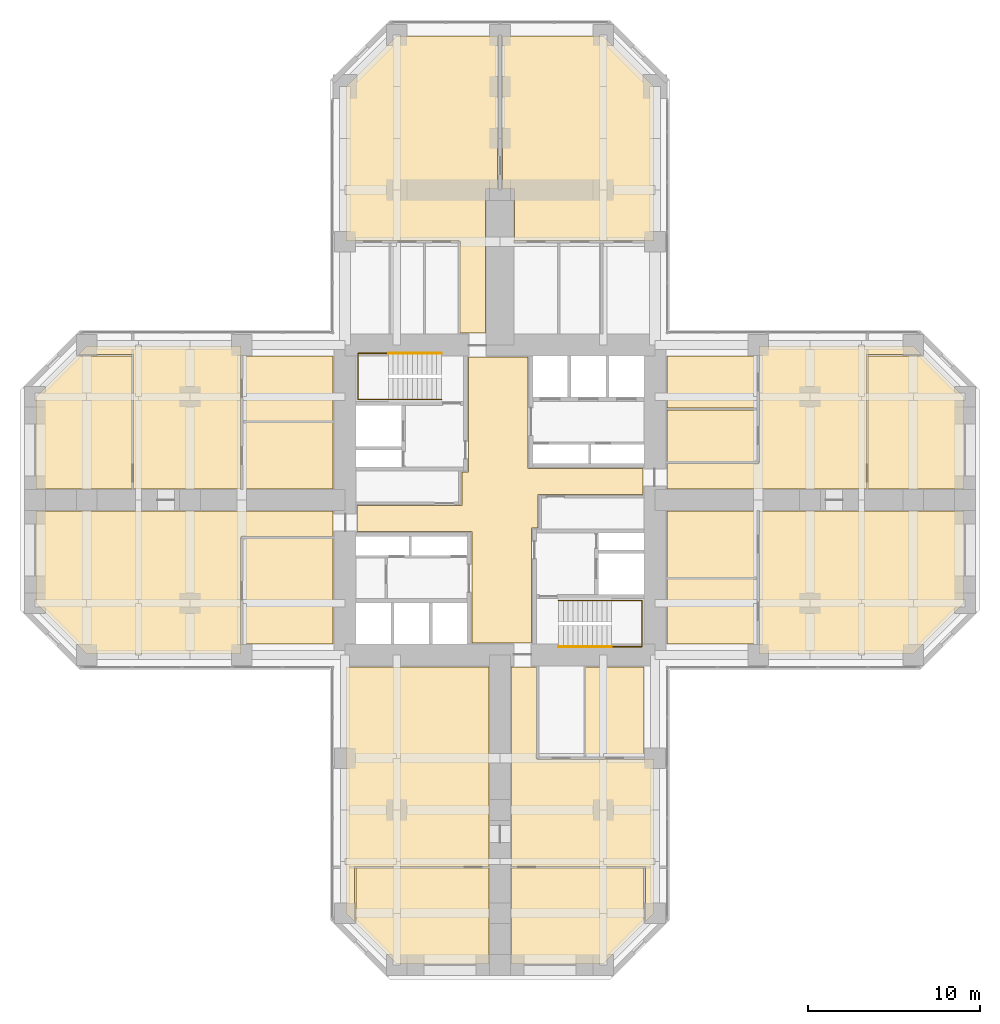
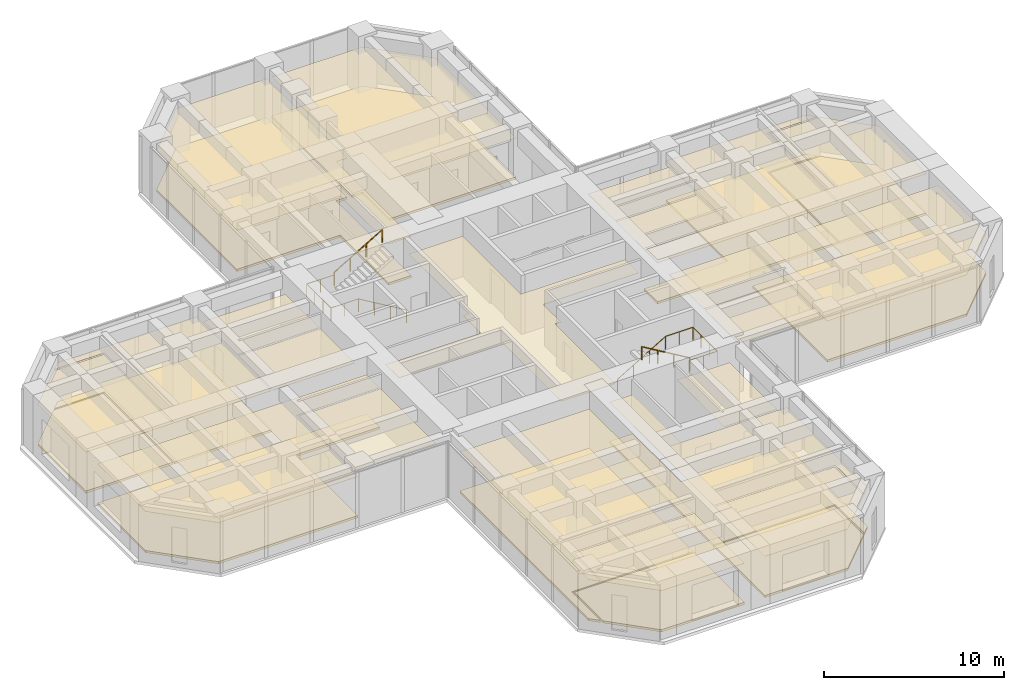
# One storey, part 12 of 12: 33 coverings, 4 railings.
"""IFC4 building model written with IfcOpenShell, lengths in metres."""

from ifc_helpers import new_model, si_unit, direction, frame, origin, origin_2d, place, context, subcontext, project, spatial, polyline, circle, outline, extrude, material, layer, layer_set, constituent, constituent_set, type_object, element, save


model = new_model("IFC4")

# Units and contexts
model_context = context("Model", 3, precision=1e-05, world=origin(), true_north=direction((0.0, 1.0)))
body_context = subcontext(model_context, "Body", "Model", "MODEL_VIEW")
ifc_project = project(units=[si_unit("LENGTHUNIT", "METRE"), si_unit("AREAUNIT", "SQUARE_METRE"), si_unit("VOLUMEUNIT", "CUBIC_METRE"), si_unit("PLANEANGLEUNIT", "RADIAN"), si_unit("MASSUNIT", "GRAM", prefix="KILO")], contexts=[model_context])

# Site, building, storey
site_placement = place(None, origin())
site = spatial("IfcSite", under=ifc_project, at=site_placement, CompositionType="ELEMENT")
building_placement = place(site_placement, origin())
building = spatial("IfcBuilding", under=site, at=building_placement, Name="Torre Cruceta", CompositionType="ELEMENT")
storey_placement = place(building_placement, frame((0.0, 0.0, 79.5)))
storey = spatial("IfcBuildingStorey", under=building, at=storey_placement, Name="L19", CompositionType="ELEMENT", Elevation=79.5)

# Railings
ifc_material_1 = material(Name="Stainless steel 1.4401", Category="steel")
railing_type = type_object("IfcRailingType", Name="HANDRAIL 900", PredefinedType="HANDRAIL", material=ifc_material_1)
railing_1_placement = place(storey_placement, frame((-3.39990234375, 5.8349609375, 0.166748046875)))
element("IfcRailing", 1, at=railing_1_placement, inside=storey, type_object=railing_type, Name="Handrail HR1 ST1 L19", PredefinedType="HANDRAIL", context=body_context, shape_type="SweptSolid", body=[
    extrude(circle(Radius=0.02392578125, at=origin_2d()), frame((0.0, 0.0, 0.8759765625), z_axis=(-0.859308565015, 0.0, 0.511457515432), x_axis=(0.0, -1.0, 0.0)), (0.0, 0.0, 1.0), 3.58447265625),
    extrude(circle(Radius=0.02392578125, at=origin_2d()), frame((-3.080078125, 0.0, 2.708984375), z_axis=(-1.0, 0.0, 0.0), x_axis=(0.0, -1.0, 0.0)), (0.0, 0.0, 1.0), 1.760009765625),
    extrude(circle(Radius=0.02392578125, at=origin_2d()), frame((-4.840087890625, 0.0, 2.708984375), z_axis=(0.0, 1.0, 0.0), x_axis=(-1.0, 0.0, 0.0)), (0.0, 0.0, 1.0), 2.679931640625),
    extrude(circle(Radius=0.02392578125, at=origin_2d()), frame((-4.840087890625, 2.679931640625, 2.708984375), z_axis=(1.0, 0.0, 0.0), x_axis=(0.0, 1.0, 0.0)), (0.0, 0.0, 1.0), 1.760009765625),
    extrude(circle(Radius=0.02099609375, at=origin_2d()), origin(), (0.0, 0.0, 1.0), 0.851806640625),
    extrude(circle(Radius=0.02099609375, at=origin_2d()), frame((-1.026611328125, 0.0, 0.611083984375)), (0.0, 0.0, 1.0), 0.851806640625),
    extrude(circle(Radius=0.02099609375, at=origin_2d()), frame((-2.053466796875, 0.0, 1.22216796875)), (0.0, 0.0, 1.0), 0.851806640625),
    extrude(circle(Radius=0.02099609375, at=origin_2d()), frame((-3.080078125, 0.0, 1.833251953125)), (0.0, 0.0, 1.0), 0.851806640625),
    extrude(circle(Radius=0.02099609375, at=origin_2d()), frame((-3.9599609375, 0.0, 1.833251953125)), (0.0, 0.0, 1.0), 0.851806640625),
    extrude(circle(Radius=0.02099609375, at=origin_2d()), frame((-4.840087890625, 0.0, 1.833251953125)), (0.0, 0.0, 1.0), 0.851806640625),
    extrude(circle(Radius=0.02099609375, at=origin_2d()), frame((-4.840087890625, 0.893310546875, 1.833251953125)), (0.0, 0.0, 1.0), 0.851806640625),
    extrude(circle(Radius=0.02099609375, at=origin_2d()), frame((-4.840087890625, 1.78662109375, 1.833251953125)), (0.0, 0.0, 1.0), 0.851806640625),
    extrude(circle(Radius=0.02099609375, at=origin_2d()), frame((-4.840087890625, 2.679931640625, 1.833251953125)), (0.0, 0.0, 1.0), 0.851806640625),
    extrude(circle(Radius=0.02099609375, at=origin_2d()), frame((-3.9599609375, 2.679931640625, 1.833251953125)), (0.0, 0.0, 1.0), 0.851806640625),
    extrude(circle(Radius=0.02099609375, at=origin_2d()), frame((-3.080078125, 2.679931640625, 1.833251953125)), (0.0, 0.0, 1.0), 0.851806640625),
])
railing_2_placement = place(storey_placement, frame((-6.47998046875, 8.514892578125, 2.166748046875)))
element("IfcRailing", 2, at=railing_2_placement, inside=storey, type_object=railing_type, Name="Handrail HR1 ST1 L19", PredefinedType="HANDRAIL", context=body_context, shape_type="SweptSolid", body=[
    extrude(circle(Radius=0.02392578125, at=origin_2d()), frame((0.0, 0.0, 0.8759765625), z_axis=(0.859308565015, 0.0, 0.511457515432), x_axis=(0.0, 1.0, 0.0)), (0.0, 0.0, 1.0), 3.58447265625),
    extrude(circle(Radius=0.02099609375, at=origin_2d()), origin(), (0.0, 0.0, 1.0), 0.851806640625),
    extrude(circle(Radius=0.02099609375, at=origin_2d()), frame((1.026611328125, 0.0, 0.611083984375)), (0.0, 0.0, 1.0), 0.851806640625),
    extrude(circle(Radius=0.02099609375, at=origin_2d()), frame((2.053466796875, 0.0, 1.22216796875)), (0.0, 0.0, 1.0), 0.851806640625),
    extrude(circle(Radius=0.02099609375, at=origin_2d()), frame((3.080078125, 0.0, 1.833251953125)), (0.0, 0.0, 1.0), 0.851806640625),
])
railing_3_placement = place(storey_placement, frame((3.39990234375, -5.8349609375, 0.166748046875)))
element("IfcRailing", 3, at=railing_3_placement, inside=storey, type_object=railing_type, Name="Handrail HR1 ST2 L19", PredefinedType="HANDRAIL", context=body_context, shape_type="SweptSolid", body=[
    extrude(circle(Radius=0.02392578125, at=origin_2d()), frame((0.0, 0.0, 0.8759765625), z_axis=(0.859308565015, 0.0, 0.511457515432), x_axis=(0.0, 1.0, 0.0)), (0.0, 0.0, 1.0), 3.58447265625),
    extrude(circle(Radius=0.02392578125, at=origin_2d()), frame((3.080078125, 0.0, 2.708984375), z_axis=(1.0, 0.0, 0.0), x_axis=(0.0, 1.0, 0.0)), (0.0, 0.0, 1.0), 1.760009765625),
    extrude(circle(Radius=0.02392578125, at=origin_2d()), frame((4.840087890625, 0.0, 2.708984375), z_axis=(0.0, -1.0, 0.0), x_axis=(1.0, 0.0, 0.0)), (0.0, 0.0, 1.0), 2.679931640625),
    extrude(circle(Radius=0.02392578125, at=origin_2d()), frame((4.840087890625, -2.679931640625, 2.708984375), z_axis=(-1.0, 0.0, 0.0), x_axis=(0.0, -1.0, 0.0)), (0.0, 0.0, 1.0), 1.760009765625),
    extrude(circle(Radius=0.02099609375, at=origin_2d()), origin(), (0.0, 0.0, 1.0), 0.851806640625),
    extrude(circle(Radius=0.02099609375, at=origin_2d()), frame((1.026611328125, 0.0, 0.611083984375)), (0.0, 0.0, 1.0), 0.851806640625),
    extrude(circle(Radius=0.02099609375, at=origin_2d()), frame((2.053466796875, 0.0, 1.22216796875)), (0.0, 0.0, 1.0), 0.851806640625),
    extrude(circle(Radius=0.02099609375, at=origin_2d()), frame((3.080078125, 0.0, 1.833251953125)), (0.0, 0.0, 1.0), 0.851806640625),
    extrude(circle(Radius=0.02099609375, at=origin_2d()), frame((3.9599609375, 0.0, 1.833251953125)), (0.0, 0.0, 1.0), 0.851806640625),
    extrude(circle(Radius=0.02099609375, at=origin_2d()), frame((4.840087890625, 0.0, 1.833251953125)), (0.0, 0.0, 1.0), 0.851806640625),
    extrude(circle(Radius=0.02099609375, at=origin_2d()), frame((4.840087890625, -0.893310546875, 1.833251953125)), (0.0, 0.0, 1.0), 0.851806640625),
    extrude(circle(Radius=0.02099609375, at=origin_2d()), frame((4.840087890625, -1.78662109375, 1.833251953125)), (0.0, 0.0, 1.0), 0.851806640625),
    extrude(circle(Radius=0.02099609375, at=origin_2d()), frame((4.840087890625, -2.679931640625, 1.833251953125)), (0.0, 0.0, 1.0), 0.851806640625),
    extrude(circle(Radius=0.02099609375, at=origin_2d()), frame((3.9599609375, -2.679931640625, 1.833251953125)), (0.0, 0.0, 1.0), 0.851806640625),
    extrude(circle(Radius=0.02099609375, at=origin_2d()), frame((3.080078125, -2.679931640625, 1.833251953125)), (0.0, 0.0, 1.0), 0.851806640625),
])
railing_4_placement = place(storey_placement, frame((6.47998046875, -8.514892578125, 2.166748046875)))
element("IfcRailing", 4, at=railing_4_placement, inside=storey, type_object=railing_type, Name="Handrail HR1 ST2 L19", PredefinedType="HANDRAIL", context=body_context, shape_type="SweptSolid", body=[
    extrude(circle(Radius=0.02392578125, at=origin_2d()), frame((0.0, 0.0, 0.8759765625), z_axis=(-0.859308565015, 0.0, 0.511457515432), x_axis=(0.0, -1.0, 0.0)), (0.0, 0.0, 1.0), 3.58447265625),
    extrude(circle(Radius=0.02099609375, at=origin_2d()), origin(), (0.0, 0.0, 1.0), 0.851806640625),
    extrude(circle(Radius=0.02099609375, at=origin_2d()), frame((-1.026611328125, 0.0, 0.611083984375)), (0.0, 0.0, 1.0), 0.851806640625),
    extrude(circle(Radius=0.02099609375, at=origin_2d()), frame((-2.053466796875, 0.0, 1.22216796875)), (0.0, 0.0, 1.0), 0.851806640625),
    extrude(circle(Radius=0.02099609375, at=origin_2d()), frame((-3.080078125, 0.0, 1.833251953125)), (0.0, 0.0, 1.0), 0.851806640625),
])

# Coverings
ifc_material_2 = material(Name="Steel DX51D", Category="steel")
ifc_constituent_1 = constituent(ifc_material_2, Name="Panel casing")
ifc_material_3 = material(Name="Calcium sulphate", Category="gypsum")
ifc_constituent_2 = constituent(ifc_material_3, Name="Panel core")
ifc_constituent_set = constituent_set(constituents=[ifc_constituent_1, ifc_constituent_2], Name="Raised access floor panel")
covering_type_1 = type_object("IfcCoveringType", Name="RAISED ACCESS FLOOR 150", PredefinedType="FLOORING", material=ifc_constituent_set)
covering_1_placement = place(storey_placement, origin())
element("IfcCovering", 5, at=covering_1_placement, inside=storey, type_object=covering_type_1, Name="Raised floor L19-031", PredefinedType="FLOORING", context=body_context, shape_type="SweptSolid", body=[
    extrude(outline(polyline([(-0.14990234375, 26.949951171875), (-0.14990234375, 18.050048828125), (-0.85009765625, 18.050048828125), (-0.85009765625, 9.699951171875), (-2.324951171875, 9.699951171875), (-2.324951171875, 15.050048828125), (-8.949951171875, 15.050048828125), (-8.949951171875, 23.979248046875), (-5.979248046875, 26.949951171875), (-0.14990234375, 26.949951171875)])), origin(), (0.0, 0.0, 1.0), 0.14990234375),
])
covering_2_placement = place(storey_placement, origin())
element("IfcCovering", 6, at=covering_2_placement, inside=storey, type_object=covering_type_1, Name="Raised floor L19-032", PredefinedType="FLOORING", context=body_context, shape_type="SweptSolid", body=[
    extrude(outline(polyline([(5.979248046875, 26.949951171875), (8.949951171875, 23.979248046875), (8.949951171875, 15.050048828125), (0.85009765625, 15.050048828125), (0.85009765625, 18.050048828125), (0.14990234375, 18.050048828125), (0.14990234375, 26.949951171875), (5.979248046875, 26.949951171875)])), origin(), (0.0, 0.0, 1.0), 0.14990234375),
])
covering_3_placement = place(storey_placement, origin())
element("IfcCovering", 7, at=covering_3_placement, inside=storey, type_object=covering_type_1, Name="Raised floor L19-037", PredefinedType="FLOORING", context=body_context, shape_type="SweptSolid", body=[
    extrude(outline(polyline([(26.949951171875, 0.64990234375), (21.3701171875, 0.64990234375), (21.3701171875, 8.35009765625), (24.579345703125, 8.35009765625), (26.949951171875, 5.979248046875), (26.949951171875, 0.64990234375)])), origin(), (0.0, 0.0, 1.0), 0.14990234375),
])
covering_4_placement = place(storey_placement, origin())
element("IfcCovering", 8, at=covering_4_placement, inside=storey, type_object=covering_type_1, Name="Raised floor L19-038", PredefinedType="FLOORING", context=body_context, shape_type="SweptSolid", body=[
    extrude(outline(polyline([(9.699951171875, 2.125), (15.050048828125, 2.125), (15.050048828125, 8.949951171875), (23.979248046875, 8.949951171875), (24.479248046875, 8.449951171875), (21.27001953125, 8.449951171875), (21.27001953125, 0.64990234375), (9.699951171875, 0.64990234375), (9.699951171875, 2.125)])), origin(), (0.0, 0.0, 1.0), 0.14990234375),
])
covering_5_placement = place(storey_placement, origin())
element("IfcCovering", 9, at=covering_5_placement, inside=storey, type_object=covering_type_1, Name="Raised floor L19-039", PredefinedType="FLOORING", context=body_context, shape_type="SweptSolid", body=[
    extrude(outline(polyline([(23.979248046875, -8.949951171875), (15.050048828125, -8.949951171875), (15.050048828125, -0.64990234375), (26.949951171875, -0.64990234375), (26.949951171875, -5.979248046875), (23.979248046875, -8.949951171875)])), origin(), (0.0, 0.0, 1.0), 0.14990234375),
])
covering_6_placement = place(storey_placement, origin())
element("IfcCovering", 10, at=covering_6_placement, inside=storey, type_object=covering_type_1, Name="Raised floor L19-042", PredefinedType="FLOORING", context=body_context, shape_type="SweptSolid", body=[
    extrude(outline(polyline([(0.64990234375, -26.949951171875), (0.64990234375, -21.3701171875), (8.35009765625, -21.3701171875), (8.35009765625, -24.579345703125), (5.979248046875, -26.949951171875), (0.64990234375, -26.949951171875)])), origin(), (0.0, 0.0, 1.0), 0.14990234375),
])
covering_7_placement = place(storey_placement, origin())
element("IfcCovering", 11, at=covering_7_placement, inside=storey, type_object=covering_type_1, Name="Raised floor L19-043", PredefinedType="FLOORING", context=body_context, shape_type="SweptSolid", body=[
    extrude(outline(polyline([(-8.35009765625, -24.579345703125), (-8.35009765625, -21.3701171875), (-0.64990234375, -21.3701171875), (-0.64990234375, -26.949951171875), (-5.979248046875, -26.949951171875), (-8.35009765625, -24.579345703125)])), origin(), (0.0, 0.0, 1.0), 0.14990234375),
])
covering_8_placement = place(storey_placement, origin())
element("IfcCovering", 12, at=covering_8_placement, inside=storey, type_object=covering_type_1, Name="Raised floor L19-044", PredefinedType="FLOORING", context=body_context, shape_type="SweptSolid", body=[
    extrude(outline(polyline([(0.64990234375, -21.27001953125), (0.64990234375, -9.699951171875), (2.125, -9.699951171875), (2.125, -15.050048828125), (8.949951171875, -15.050048828125), (8.949951171875, -23.979248046875), (8.449951171875, -24.479248046875), (8.449951171875, -21.27001953125), (0.64990234375, -21.27001953125)])), origin(), (0.0, 0.0, 1.0), 0.14990234375),
])
covering_9_placement = place(storey_placement, origin())
element("IfcCovering", 13, at=covering_9_placement, inside=storey, type_object=covering_type_1, Name="Raised floor L19-045", PredefinedType="FLOORING", context=body_context, shape_type="SweptSolid", body=[
    extrude(outline(polyline([(-8.449951171875, -21.27001953125), (-8.449951171875, -24.479248046875), (-8.949951171875, -23.979248046875), (-8.949951171875, -9.699951171875), (-0.64990234375, -9.699951171875), (-0.64990234375, -21.27001953125), (-8.449951171875, -21.27001953125)])), origin(), (0.0, 0.0, 1.0), 0.14990234375),
])
covering_10_placement = place(storey_placement, origin())
element("IfcCovering", 14, at=covering_10_placement, inside=storey, type_object=covering_type_1, Name="Raised floor L19-049", PredefinedType="FLOORING", context=body_context, shape_type="SweptSolid", body=[
    extrude(outline(polyline([(-24.579345703125, 8.35009765625), (-21.3701171875, 8.35009765625), (-21.3701171875, 0.64990234375), (-26.949951171875, 0.64990234375), (-26.949951171875, 5.979248046875), (-24.579345703125, 8.35009765625)])), origin(), (0.0, 0.0, 1.0), 0.14990234375),
])
covering_11_placement = place(storey_placement, origin())
element("IfcCovering", 15, at=covering_11_placement, inside=storey, type_object=covering_type_1, Name="Raised floor L19-050", PredefinedType="FLOORING", context=body_context, shape_type="SweptSolid", body=[
    extrude(outline(polyline([(-9.699951171875, -2.125), (-15.050048828125, -2.125), (-15.050048828125, -8.949951171875), (-23.979248046875, -8.949951171875), (-26.949951171875, -5.979248046875), (-26.949951171875, -0.64990234375), (-9.699951171875, -0.64990234375), (-9.699951171875, -2.125)])), origin(), (0.0, 0.0, 1.0), 0.14990234375),
])
covering_12_placement = place(storey_placement, origin())
element("IfcCovering", 16, at=covering_12_placement, inside=storey, type_object=covering_type_1, Name="Raised floor L19-051", PredefinedType="FLOORING", context=body_context, shape_type="SweptSolid", body=[
    extrude(outline(polyline([(-21.27001953125, 8.449951171875), (-24.479248046875, 8.449951171875), (-23.979248046875, 8.949951171875), (-15.050048828125, 8.949951171875), (-15.050048828125, 0.64990234375), (-21.27001953125, 0.64990234375), (-21.27001953125, 8.449951171875)])), origin(), (0.0, 0.0, 1.0), 0.14990234375),
])
ifc_material_4 = material(Name="Mineral fibre ceiling tile", Category="gypsum")
ifc_layer = layer(ifc_material_4, 0.02001953125)
ifc_layer_set = layer_set([ifc_layer], Name="Mineral fibre ceiling tile")
covering_type_2 = type_object("IfcCoveringType", Name="SUSPENDED CEILING 20", PredefinedType="CEILING", material=ifc_layer_set)
covering_13_placement = place(storey_placement, frame((0.0, 0.0, 2.780029296875)))
element("IfcCovering", 17, at=covering_13_placement, inside=storey, type_object=covering_type_2, Name="Ceiling L19-001", PredefinedType="CEILING", context=body_context, shape_type="SweptSolid", body=[
    extrude(outline(polyline([(1.824951171875, -8.300048828125), (-1.625, -8.300048828125), (-1.625, -1.824951171875), (-8.300048828125, -1.824951171875), (-8.300048828125, -0.324951171875), (-2.199951171875, -0.324951171875), (-2.199951171875, 1.625), (-1.824951171875, 1.625), (-1.824951171875, 8.300048828125), (1.625, 8.300048828125), (1.625, 1.824951171875), (8.300048828125, 1.824951171875), (8.300048828125, 0.324951171875), (2.199951171875, 0.324951171875), (2.199951171875, -1.625), (1.824951171875, -1.625), (1.824951171875, -8.300048828125)])), origin(), (0.0, 0.0, 1.0), 0.02001953125),
])
covering_14_placement = place(storey_placement, frame((0.0, 0.0, 2.780029296875)))
element("IfcCovering", 18, at=covering_14_placement, inside=storey, type_object=covering_type_2, Name="Ceiling L19-031", PredefinedType="CEILING", context=body_context, shape_type="SweptSolid", body=[
    extrude(outline(polyline([(-0.14990234375, 26.949951171875), (-0.14990234375, 18.050048828125), (-0.85009765625, 18.050048828125), (-0.85009765625, 9.699951171875), (-2.324951171875, 9.699951171875), (-2.324951171875, 15.050048828125), (-8.949951171875, 15.050048828125), (-8.949951171875, 23.979248046875), (-5.979248046875, 26.949951171875), (-0.14990234375, 26.949951171875)])), origin(), (0.0, 0.0, 1.0), 0.02001953125),
])
covering_15_placement = place(storey_placement, frame((0.0, 0.0, 2.780029296875)))
element("IfcCovering", 19, at=covering_15_placement, inside=storey, type_object=covering_type_2, Name="Ceiling L19-032", PredefinedType="CEILING", context=body_context, shape_type="SweptSolid", body=[
    extrude(outline(polyline([(5.979248046875, 26.949951171875), (8.949951171875, 23.979248046875), (8.949951171875, 15.050048828125), (0.85009765625, 15.050048828125), (0.85009765625, 18.050048828125), (0.14990234375, 18.050048828125), (0.14990234375, 26.949951171875), (5.979248046875, 26.949951171875)])), origin(), (0.0, 0.0, 1.0), 0.02001953125),
])
covering_16_placement = place(storey_placement, frame((0.0, 0.0, 2.780029296875)))
element("IfcCovering", 20, at=covering_16_placement, inside=storey, type_object=covering_type_2, Name="Ceiling L19-033", PredefinedType="CEILING", context=body_context, shape_type="SweptSolid", body=[
    extrude(outline(polyline([(9.699951171875, 2.22509765625), (9.699951171875, 5.237548828125), (14.949951171875, 5.237548828125), (14.949951171875, 2.22509765625), (9.699951171875, 2.22509765625)])), origin(), (0.0, 0.0, 1.0), 0.02001953125),
])
covering_17_placement = place(storey_placement, frame((0.0, 0.0, 2.780029296875)))
element("IfcCovering", 21, at=covering_17_placement, inside=storey, type_object=covering_type_2, Name="Ceiling L19-034", PredefinedType="CEILING", context=body_context, shape_type="SweptSolid", body=[
    extrude(outline(polyline([(9.699951171875, 5.33740234375), (9.699951171875, 8.35009765625), (14.949951171875, 8.35009765625), (14.949951171875, 5.33740234375), (9.699951171875, 5.33740234375)])), origin(), (0.0, 0.0, 1.0), 0.02001953125),
])
covering_18_placement = place(storey_placement, frame((0.0, 0.0, 2.780029296875)))
element("IfcCovering", 22, at=covering_18_placement, inside=storey, type_object=covering_type_2, Name="Ceiling L19-035", PredefinedType="CEILING", context=body_context, shape_type="SweptSolid", body=[
    extrude(outline(polyline([(9.699951171875, -4.5), (9.699951171875, -0.64990234375), (14.949951171875, -0.64990234375), (14.949951171875, -4.5), (9.699951171875, -4.5)])), origin(), (0.0, 0.0, 1.0), 0.02001953125),
])
covering_19_placement = place(storey_placement, frame((0.0, 0.0, 2.780029296875)))
element("IfcCovering", 23, at=covering_19_placement, inside=storey, type_object=covering_type_2, Name="Ceiling L19-036", PredefinedType="CEILING", context=body_context, shape_type="SweptSolid", body=[
    extrude(outline(polyline([(9.699951171875, -8.35009765625), (9.699951171875, -4.60009765625), (14.949951171875, -4.60009765625), (14.949951171875, -8.35009765625), (9.699951171875, -8.35009765625)])), origin(), (0.0, 0.0, 1.0), 0.02001953125),
])
covering_20_placement = place(storey_placement, frame((0.0, 0.0, 2.780029296875)))
element("IfcCovering", 24, at=covering_20_placement, inside=storey, type_object=covering_type_2, Name="Ceiling L19-037", PredefinedType="CEILING", context=body_context, shape_type="SweptSolid", body=[
    extrude(outline(polyline([(26.949951171875, 0.64990234375), (21.3701171875, 0.64990234375), (21.3701171875, 8.35009765625), (24.579345703125, 8.35009765625), (26.949951171875, 5.979248046875), (26.949951171875, 0.64990234375)])), origin(), (0.0, 0.0, 1.0), 0.02001953125),
])
covering_21_placement = place(storey_placement, frame((0.0, 0.0, 2.780029296875)))
element("IfcCovering", 25, at=covering_21_placement, inside=storey, type_object=covering_type_2, Name="Ceiling L19-038", PredefinedType="CEILING", context=body_context, shape_type="SweptSolid", body=[
    extrude(outline(polyline([(9.699951171875, 2.125), (15.050048828125, 2.125), (15.050048828125, 8.949951171875), (23.979248046875, 8.949951171875), (24.479248046875, 8.449951171875), (21.27001953125, 8.449951171875), (21.27001953125, 0.64990234375), (9.699951171875, 0.64990234375), (9.699951171875, 2.125)])), origin(), (0.0, 0.0, 1.0), 0.02001953125),
])
covering_22_placement = place(storey_placement, frame((0.0, 0.0, 2.780029296875)))
element("IfcCovering", 26, at=covering_22_placement, inside=storey, type_object=covering_type_2, Name="Ceiling L19-039", PredefinedType="CEILING", context=body_context, shape_type="SweptSolid", body=[
    extrude(outline(polyline([(23.979248046875, -8.949951171875), (15.050048828125, -8.949951171875), (15.050048828125, -0.64990234375), (26.949951171875, -0.64990234375), (26.949951171875, -5.979248046875), (23.979248046875, -8.949951171875)])), origin(), (0.0, 0.0, 1.0), 0.02001953125),
])
covering_23_placement = place(storey_placement, frame((0.0, 0.0, 2.780029296875)))
element("IfcCovering", 27, at=covering_23_placement, inside=storey, type_object=covering_type_2, Name="Ceiling L19-041", PredefinedType="CEILING", context=body_context, shape_type="SweptSolid", body=[
    extrude(outline(polyline([(4.9755859375, -9.699951171875), (8.35009765625, -9.699951171875), (8.35009765625, -14.949951171875), (4.9755859375, -14.949951171875), (4.9755859375, -9.699951171875)])), origin(), (0.0, 0.0, 1.0), 0.02001953125),
])
covering_24_placement = place(storey_placement, frame((0.0, 0.0, 2.780029296875)))
element("IfcCovering", 28, at=covering_24_placement, inside=storey, type_object=covering_type_2, Name="Ceiling L19-042", PredefinedType="CEILING", context=body_context, shape_type="SweptSolid", body=[
    extrude(outline(polyline([(0.64990234375, -26.949951171875), (0.64990234375, -21.3701171875), (8.35009765625, -21.3701171875), (8.35009765625, -24.579345703125), (5.979248046875, -26.949951171875), (0.64990234375, -26.949951171875)])), origin(), (0.0, 0.0, 1.0), 0.02001953125),
])
covering_25_placement = place(storey_placement, frame((0.0, 0.0, 2.780029296875)))
element("IfcCovering", 29, at=covering_25_placement, inside=storey, type_object=covering_type_2, Name="Ceiling L19-043", PredefinedType="CEILING", context=body_context, shape_type="SweptSolid", body=[
    extrude(outline(polyline([(-8.35009765625, -24.579345703125), (-8.35009765625, -21.3701171875), (-0.64990234375, -21.3701171875), (-0.64990234375, -26.949951171875), (-5.979248046875, -26.949951171875), (-8.35009765625, -24.579345703125)])), origin(), (0.0, 0.0, 1.0), 0.02001953125),
])
covering_26_placement = place(storey_placement, frame((0.0, 0.0, 2.780029296875)))
element("IfcCovering", 30, at=covering_26_placement, inside=storey, type_object=covering_type_2, Name="Ceiling L19-044", PredefinedType="CEILING", context=body_context, shape_type="SweptSolid", body=[
    extrude(outline(polyline([(0.64990234375, -21.27001953125), (0.64990234375, -9.699951171875), (2.125, -9.699951171875), (2.125, -15.050048828125), (8.949951171875, -15.050048828125), (8.949951171875, -23.979248046875), (8.449951171875, -24.479248046875), (8.449951171875, -21.27001953125), (0.64990234375, -21.27001953125)])), origin(), (0.0, 0.0, 1.0), 0.02001953125),
])
covering_27_placement = place(storey_placement, frame((0.0, 0.0, 2.780029296875)))
element("IfcCovering", 31, at=covering_27_placement, inside=storey, type_object=covering_type_2, Name="Ceiling L19-045", PredefinedType="CEILING", context=body_context, shape_type="SweptSolid", body=[
    extrude(outline(polyline([(-8.449951171875, -21.27001953125), (-8.449951171875, -24.479248046875), (-8.949951171875, -23.979248046875), (-8.949951171875, -9.699951171875), (-0.64990234375, -9.699951171875), (-0.64990234375, -21.27001953125), (-8.449951171875, -21.27001953125)])), origin(), (0.0, 0.0, 1.0), 0.02001953125),
])
covering_28_placement = place(storey_placement, frame((0.0, 0.0, 2.780029296875)))
element("IfcCovering", 32, at=covering_28_placement, inside=storey, type_object=covering_type_2, Name="Ceiling L19-046", PredefinedType="CEILING", context=body_context, shape_type="SweptSolid", body=[
    extrude(outline(polyline([(-9.699951171875, -2.22509765625), (-9.699951171875, -8.35009765625), (-14.949951171875, -8.35009765625), (-14.949951171875, -2.22509765625), (-9.699951171875, -2.22509765625)])), origin(), (0.0, 0.0, 1.0), 0.02001953125),
])
covering_29_placement = place(storey_placement, frame((0.0, 0.0, 2.780029296875)))
element("IfcCovering", 33, at=covering_29_placement, inside=storey, type_object=covering_type_2, Name="Ceiling L19-047", PredefinedType="CEILING", context=body_context, shape_type="SweptSolid", body=[
    extrude(outline(polyline([(-9.699951171875, 4.5), (-9.699951171875, 0.64990234375), (-14.949951171875, 0.64990234375), (-14.949951171875, 4.5), (-9.699951171875, 4.5)])), origin(), (0.0, 0.0, 1.0), 0.02001953125),
])
covering_30_placement = place(storey_placement, frame((0.0, 0.0, 2.780029296875)))
element("IfcCovering", 34, at=covering_30_placement, inside=storey, type_object=covering_type_2, Name="Ceiling L19-048", PredefinedType="CEILING", context=body_context, shape_type="SweptSolid", body=[
    extrude(outline(polyline([(-9.699951171875, 8.35009765625), (-9.699951171875, 4.60009765625), (-14.949951171875, 4.60009765625), (-14.949951171875, 8.35009765625), (-9.699951171875, 8.35009765625)])), origin(), (0.0, 0.0, 1.0), 0.02001953125),
])
covering_31_placement = place(storey_placement, frame((0.0, 0.0, 2.780029296875)))
element("IfcCovering", 35, at=covering_31_placement, inside=storey, type_object=covering_type_2, Name="Ceiling L19-049", PredefinedType="CEILING", context=body_context, shape_type="SweptSolid", body=[
    extrude(outline(polyline([(-24.579345703125, 8.35009765625), (-21.3701171875, 8.35009765625), (-21.3701171875, 0.64990234375), (-26.949951171875, 0.64990234375), (-26.949951171875, 5.979248046875), (-24.579345703125, 8.35009765625)])), origin(), (0.0, 0.0, 1.0), 0.02001953125),
])
covering_32_placement = place(storey_placement, frame((0.0, 0.0, 2.780029296875)))
element("IfcCovering", 36, at=covering_32_placement, inside=storey, type_object=covering_type_2, Name="Ceiling L19-050", PredefinedType="CEILING", context=body_context, shape_type="SweptSolid", body=[
    extrude(outline(polyline([(-9.699951171875, -2.125), (-15.050048828125, -2.125), (-15.050048828125, -8.949951171875), (-23.979248046875, -8.949951171875), (-26.949951171875, -5.979248046875), (-26.949951171875, -0.64990234375), (-9.699951171875, -0.64990234375), (-9.699951171875, -2.125)])), origin(), (0.0, 0.0, 1.0), 0.02001953125),
])
covering_33_placement = place(storey_placement, frame((0.0, 0.0, 2.780029296875)))
element("IfcCovering", 37, at=covering_33_placement, inside=storey, type_object=covering_type_2, Name="Ceiling L19-051", PredefinedType="CEILING", context=body_context, shape_type="SweptSolid", body=[
    extrude(outline(polyline([(-21.27001953125, 8.449951171875), (-24.479248046875, 8.449951171875), (-23.979248046875, 8.949951171875), (-15.050048828125, 8.949951171875), (-15.050048828125, 0.64990234375), (-21.27001953125, 0.64990234375), (-21.27001953125, 8.449951171875)])), origin(), (0.0, 0.0, 1.0), 0.02001953125),
])

save(model, "model.ifc")
